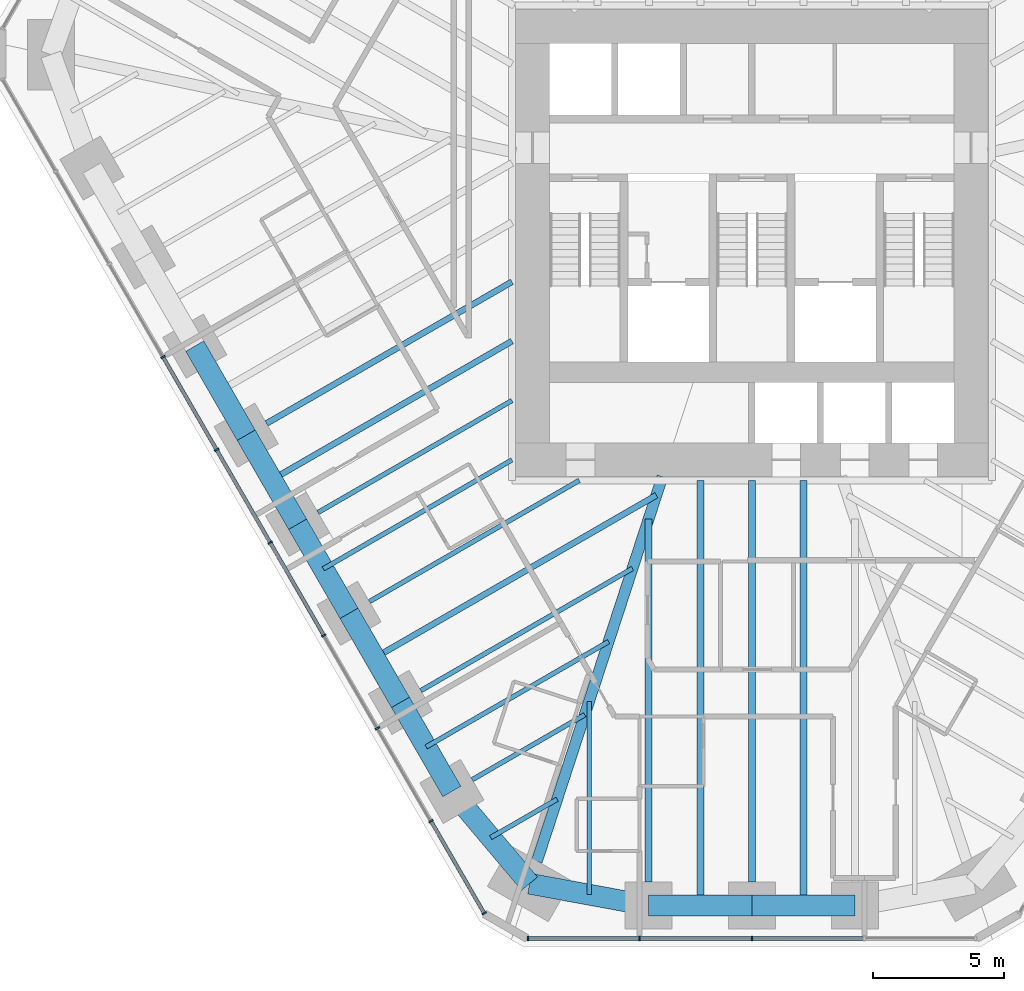
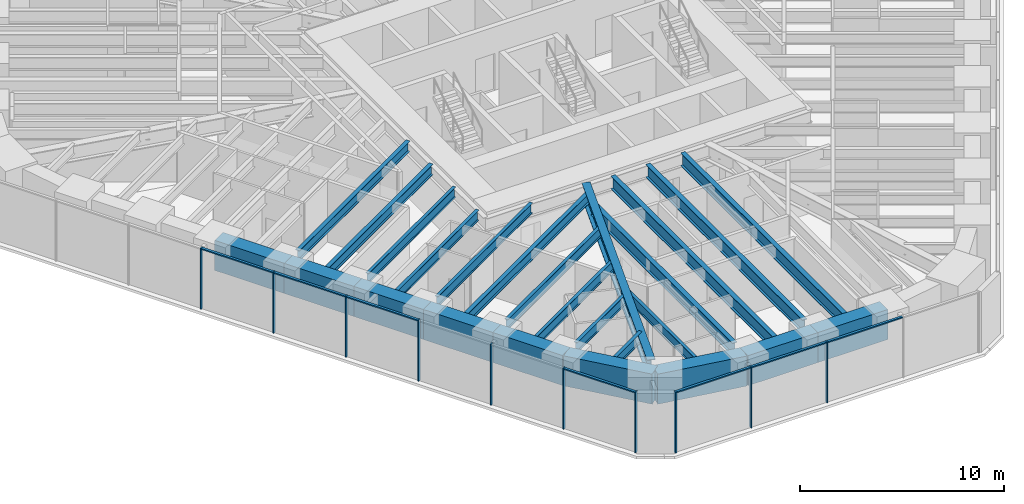
# One storey, part 2 of 17: 25 beams, 17 members, 2 elements without a shape of their own.
"""IFC4 building model written with IfcOpenShell, lengths in metres."""

import ifcopenshell
import ifcopenshell.guid

model = None  # the IFC model being written
_history = None  # IfcOwnerHistory: only IFC2X3 demands one
_inside = {}  # id of a spatial element -> (the spatial element, [elements in it])
_under = {}  # id of a project, library or spatial element -> (it, [spatial elements below it])
_declared = {}  # id of a project -> (the project, [libraries it declares])
_typed = {}  # id of a type object -> (the type object, [elements of that type])
_made_of = {}  # id of a material, layer set ... -> (it, [elements and type objects made of it])


def new_model(schema):
    """Start an empty IFC model of exactly this schema.

    Asked for "IFC4X3", IfcOpenShell would pick the latest addendum, in which some entities
    have other attributes; the version numbers below select the first issue.
    IFC2X3 requires an IfcOwnerHistory on every rooted entity: one is made here for all.
    """
    global model, _history
    if schema == "IFC4X3":
        model = ifcopenshell.file(schema_version=(4, 3, 0, 0))
    else:
        model = ifcopenshell.file(schema=schema)
    _inside.clear()
    _under.clear()
    _declared.clear()
    _typed.clear()
    _made_of.clear()
    _history = None
    if model.schema == "IFC2X3":
        org = make("IfcOrganization", Name="unknown")
        user = make(
            "IfcPersonAndOrganization",
            ThePerson=make("IfcPerson", FamilyName="unknown"),
            TheOrganization=org,
        )
        app = make(
            "IfcApplication",
            ApplicationDeveloper=org,
            Version="unknown",
            ApplicationFullName="unknown",
            ApplicationIdentifier="unknown",
        )
        _history = make(
            "IfcOwnerHistory",
            OwningUser=user,
            OwningApplication=app,
            ChangeAction="ADDED",
            CreationDate=0,
        )
    return model


def make(cls, **values):
    """One entity of the class cls with the attributes given. An attribute that is None is left unset."""
    return model.create_entity(
        cls, **{name: value for name, value in values.items() if value is not None}
    )


def rooted(cls, **values):
    """An entity with a GlobalId (a new one), such as an element, a storey or a relation."""
    return make(cls, GlobalId=ifcopenshell.guid.new(), OwnerHistory=_history, **values)


def si_unit(unit_type, name, prefix=None):
    """IfcSIUnit, for example si_unit("LENGTHUNIT", "METRE", prefix="MILLI")."""
    return make("IfcSIUnit", UnitType=unit_type, Prefix=prefix, Name=name)


def assignment(units):
    """IfcUnitAssignment: the units of a project."""
    return None if units is None else make("IfcUnitAssignment", Units=units)


def point(xyz):
    """IfcCartesianPoint."""
    return None if xyz is None else make("IfcCartesianPoint", Coordinates=xyz)


def direction(xyz):
    """IfcDirection."""
    return None if xyz is None else make("IfcDirection", DirectionRatios=xyz)


def frame(location, z_axis=None, x_axis=None):
    """IfcAxis2Placement3D, a coordinate frame: its origin and axes. An axis left out is left unset."""
    return make(
        "IfcAxis2Placement3D",
        Location=point(location),
        Axis=direction(z_axis),
        RefDirection=direction(x_axis),
    )


def frame_2d(location, x_axis=None):
    """IfcAxis2Placement2D, a coordinate frame in the plane: its origin and x axis."""
    return make(
        "IfcAxis2Placement2D", Location=point(location), RefDirection=direction(x_axis)
    )


def origin():
    """The frame at (0, 0, 0) with its axes left unset."""
    return frame((0.0, 0.0, 0.0))


def origin_2d():
    """The frame at (0, 0) in the plane with its x axis left unset."""
    return frame_2d((0.0, 0.0))


def place(relative_to, where):
    """IfcLocalPlacement: puts the frame where relative to a parent placement (None: the world)."""
    return make(
        "IfcLocalPlacement", PlacementRelTo=relative_to, RelativePlacement=where
    )


def context(
    kind, dimensions, precision=None, world=None, true_north=None, identifier=None
):
    """IfcGeometricRepresentationContext, for example the 3D "Model" context."""
    return make(
        "IfcGeometricRepresentationContext",
        ContextIdentifier=identifier,
        ContextType=kind,
        CoordinateSpaceDimension=dimensions,
        Precision=precision,
        WorldCoordinateSystem=world,
        TrueNorth=true_north,
    )


def subcontext(parent, identifier, kind, view, scale=None):
    """IfcGeometricRepresentationSubContext, for example "Body" below "Model"."""
    return make(
        "IfcGeometricRepresentationSubContext",
        ContextIdentifier=identifier,
        ContextType=kind,
        ParentContext=parent,
        TargetScale=scale,
        TargetView=view,
    )


def project(units=None, contexts=None):
    """IfcProject with its units and contexts."""
    return rooted(
        "IfcProject",
        Name="project",
        RepresentationContexts=contexts,
        UnitsInContext=assignment(units),
    )


def spatial(cls, under=None, at=None, **own):
    """A site, building, storey or space (cls), placed at a placement, below another one or the project."""
    s = rooted(cls, ObjectPlacement=at, **own)
    if under is not None:
        _under.setdefault(under.id(), (under, []))[1].append(s)
    return s


def profile(cls, at=None, kind="AREA", **sizes):
    """A parametric profile (cls). Its sizes go by their IFC names, for example OverallWidth=200.0."""
    return make(cls, ProfileType=kind, Position=at, **sizes)


def rectangle(**sizes):
    """IfcRectangleProfileDef."""
    return profile("IfcRectangleProfileDef", **sizes)


def i_section(**sizes):
    """IfcIShapeProfileDef."""
    return profile("IfcIShapeProfileDef", **sizes)


def extrude(swept, where, along, depth):
    """IfcExtrudedAreaSolid: the profile swept, set in the frame where, extruded along a direction by depth."""
    return make(
        "IfcExtrudedAreaSolid",
        SweptArea=swept,
        Position=where,
        ExtrudedDirection=direction(along),
        Depth=depth,
    )


def shape(context_of_items, identifier, shape_type, items):
    """IfcShapeRepresentation: the items that make up one representation, for example the "Body"."""
    return make(
        "IfcShapeRepresentation",
        ContextOfItems=context_of_items,
        RepresentationIdentifier=identifier,
        RepresentationType=shape_type,
        Items=items,
    )


def material(Name=None, Category=None):
    """IfcMaterial."""
    return make("IfcMaterial", Name=Name, Category=Category)


def material_profile(
    of_material, cross_section, Name=None, Category=None, Priority=None
):
    """IfcMaterialProfile: a cross section and its material."""
    return make(
        "IfcMaterialProfile",
        Name=Name,
        Material=of_material,
        Profile=cross_section,
        Priority=Priority,
        Category=Category,
    )


def profile_set(profiles, Name=None, composite=None):
    """IfcMaterialProfileSet."""
    return make(
        "IfcMaterialProfileSet",
        Name=Name,
        MaterialProfiles=profiles,
        CompositeProfile=composite,
    )


def made_of(thing, what):
    """Note that an element or type object is made of a material, layer set ...; save() writes the relation."""
    if what is not None:
        _made_of.setdefault(what.id(), (what, []))[1].append(thing)
    return thing


def type_object(cls, material=None, **own):
    """A type object (cls), such as IfcWallType, which elements share."""
    return made_of(rooted(cls, **own), material)


def element(
    cls,
    number,
    at=None,
    inside=None,
    cuts=None,
    type_object=None,
    material=None,
    context=None,
    identifier="Body",
    shape_type=None,
    held_by="IfcProductDefinitionShape",
    body=None,
    shapes=None,
    **own,
):
    """One element of the class cls, such as IfcWall. Its Tag is "e" and its number.

    at: its placement. inside: the storey or other place that contains it. cuts: it is an
    opening in that element (IfcRelVoidsElement). A single representation is given by context,
    identifier, shape_type and body (its items); several are given by shapes. held_by: the class
    of the entity that holds the representations. save() writes the other relations.
    """
    e = rooted(cls, Tag="e%d" % number, ObjectPlacement=at, **own)
    if body is not None:
        shapes = [shape(context, identifier, shape_type, body)]
    if shapes is not None:
        e.Representation = make(held_by, Representations=shapes)
    if inside is not None:
        _inside.setdefault(inside.id(), (inside, []))[1].append(e)
    if cuts is not None:
        rooted(
            "IfcRelVoidsElement", RelatingBuildingElement=cuts, RelatedOpeningElement=e
        )
    if type_object is not None:
        _typed.setdefault(type_object.id(), (type_object, []))[1].append(e)
    return made_of(e, material)


def aggregate(whole, parts):
    """IfcRelAggregates: a whole, such as a stair, and the parts it consists of."""
    return rooted("IfcRelAggregates", RelatingObject=whole, RelatedObjects=parts)


def save(model, path):
    """Write the relations noted so far, then the file.

    IfcRelAggregates (storeys below a building ...), IfcRelContainedInSpatialStructure (elements
    in a storey), IfcRelDefinesByType, IfcRelAssociatesMaterial and IfcRelDeclares: one each for
    every whole, place, type object, material and project.
    """
    for whole, parts in _under.values():
        aggregate(whole, parts)
    for where, things in _inside.values():
        rooted(
            "IfcRelContainedInSpatialStructure",
            RelatedElements=things,
            RelatingStructure=where,
        )
    for kind, things in _typed.values():
        rooted("IfcRelDefinesByType", RelatedObjects=things, RelatingType=kind)
    for what, things in _made_of.values():
        rooted("IfcRelAssociatesMaterial", RelatedObjects=things, RelatingMaterial=what)
    for by, libraries in _declared.values():
        rooted("IfcRelDeclares", RelatingContext=by, RelatedDefinitions=libraries)
    model.write(path)


model = new_model("IFC4")

# Units and contexts
model_context = context("Model", 3, precision=1e-05, world=origin(), true_north=direction((0.0, 1.0)))
body_context = subcontext(model_context, "Body", "Model", "MODEL_VIEW")
ifc_project = project(units=[si_unit("LENGTHUNIT", "METRE"), si_unit("AREAUNIT", "SQUARE_METRE"), si_unit("VOLUMEUNIT", "CUBIC_METRE"), si_unit("PLANEANGLEUNIT", "RADIAN"), si_unit("MASSUNIT", "GRAM", prefix="KILO")], contexts=[model_context])

# Site, building, storey
site_placement = place(None, origin())
site = spatial("IfcSite", under=ifc_project, at=site_placement, CompositionType="ELEMENT")
building_placement = place(site_placement, origin())
building = spatial("IfcBuilding", under=site, at=building_placement, Name="Sandreach Pilgrim Tower", CompositionType="ELEMENT")
storey_placement = place(building_placement, frame((0.0, 0.0, 119.60009765625)))
storey = spatial("IfcBuildingStorey", under=building, at=storey_placement, Name="L29", CompositionType="ELEMENT", Elevation=119.60009765625)

# Curtain wall, members
ifc_material_1 = material(Name="Aluminium framed curtain wall", Category="aluminium")
curtain_wall_type = type_object("IfcCurtainWallType", Name="Hotel tower curtain wall", PredefinedType="NOTDEFINED", material=ifc_material_1)
curtain_wall_1_placement = place(storey_placement, origin())
curtain_wall_1 = element("IfcCurtainWall", 1, at=curtain_wall_1_placement, inside=storey, type_object=curtain_wall_type, Name="CW-2 L29 S", PredefinedType="NOTDEFINED")
ifc_material_2 = material(Name="Aluminium extrusion", Category="aluminium")
ifc_material_profile_1 = material_profile(ifc_material_2, rectangle(XDim=0.06494140625, YDim=0.179931640625, at=origin_2d()), Name="CW-2M 65X180")
ifc_profile_set_1 = profile_set([ifc_material_profile_1], Name="Aluminium extrusion")
member_type_1 = type_object("IfcMemberType", Name="CW-2 mullion", PredefinedType="MULLION", material=ifc_profile_set_1)
member_1_placement = place(storey_placement, frame((0.0, -28.192138671875, 0.0), z_axis=(0.0, 0.0, 1.0), x_axis=(-1.0, 0.0, 0.0)))
member_1 = element("IfcMember", 2, at=member_1_placement, type_object=member_type_1, Name="CW-2 mullion 3", PredefinedType="MULLION", context=body_context, shape_type="SweptSolid", body=[
    extrude(rectangle(XDim=0.06494140625, YDim=0.179931640625, at=origin_2d()), origin(), (0.0, 0.0, 1.0), 3.639892578125),
])
member_2_placement = place(storey_placement, frame((-4.3056640625, -28.192138671875, 0.0), z_axis=(0.0, 0.0, 1.0), x_axis=(-1.0, 0.0, 0.0)))
member_2 = element("IfcMember", 3, at=member_2_placement, type_object=member_type_1, Name="CW-2 mullion 4", PredefinedType="MULLION", context=body_context, shape_type="SweptSolid", body=[
    extrude(rectangle(XDim=0.06494140625, YDim=0.179931640625, at=origin_2d()), origin(), (0.0, 0.0, 1.0), 3.639892578125),
])
member_3_placement = place(storey_placement, frame((-8.578857421875, -28.192138671875, 0.0), z_axis=(0.0, 0.0, 1.0), x_axis=(-1.0, 0.0, 0.0)))
member_3 = element("IfcMember", 4, at=member_3_placement, type_object=member_type_1, Name="CW-2 mullion 5", PredefinedType="MULLION", context=body_context, shape_type="SweptSolid", body=[
    extrude(rectangle(XDim=0.06494140625, YDim=0.179931640625, at=origin_2d()), origin(), (0.0, 0.0, 1.0), 3.639892578125),
])

curtain_wall_2_placement = place(storey_placement, origin())
curtain_wall_2 = element("IfcCurtainWall", 5, at=curtain_wall_2_placement, inside=storey, type_object=curtain_wall_type, Name="CW-2 L29 SW", PredefinedType="NOTDEFINED")
member_4_placement = place(storey_placement, frame((-10.255859375, -27.22412109375, 0.0), z_axis=(0.0, 0.0, 1.0), x_axis=(-0.5, 0.866025403784, 0.0)))
member_4 = element("IfcMember", 6, at=member_4_placement, type_object=member_type_1, Name="CW-2 mullion 1", PredefinedType="MULLION", context=body_context, shape_type="SweptSolid", body=[
    extrude(rectangle(XDim=0.06494140625, YDim=0.179931640625, at=origin_2d()), origin(), (0.0, 0.0, 1.0), 3.639892578125),
])
member_5_placement = place(storey_placement, frame((-12.29296875, -23.695556640625, 0.0), z_axis=(0.0, 0.0, 1.0), x_axis=(-0.5, 0.866025403784, 0.0)))
member_5 = element("IfcMember", 7, at=member_5_placement, type_object=member_type_1, Name="CW-2 mullion 2", PredefinedType="MULLION", context=body_context, shape_type="SweptSolid", body=[
    extrude(rectangle(XDim=0.06494140625, YDim=0.179931640625, at=origin_2d()), origin(), (0.0, 0.0, 1.0), 3.639892578125),
])
member_6_placement = place(storey_placement, frame((-14.346435546875, -20.138671875, 0.0), z_axis=(0.0, 0.0, 1.0), x_axis=(-0.5, 0.866025403784, 0.0)))
member_6 = element("IfcMember", 8, at=member_6_placement, type_object=member_type_1, Name="CW-2 mullion 3", PredefinedType="MULLION", context=body_context, shape_type="SweptSolid", body=[
    extrude(rectangle(XDim=0.06494140625, YDim=0.179931640625, at=origin_2d()), origin(), (0.0, 0.0, 1.0), 3.639892578125),
])
member_7_placement = place(storey_placement, frame((-16.39990234375, -16.58203125, 0.0), z_axis=(0.0, 0.0, 1.0), x_axis=(-0.5, 0.866025403784, 0.0)))
member_7 = element("IfcMember", 9, at=member_7_placement, type_object=member_type_1, Name="CW-2 mullion 4", PredefinedType="MULLION", context=body_context, shape_type="SweptSolid", body=[
    extrude(rectangle(XDim=0.06494140625, YDim=0.179931640625, at=origin_2d()), origin(), (0.0, 0.0, 1.0), 3.639892578125),
])
member_8_placement = place(storey_placement, frame((-18.453369140625, -13.025146484375, 0.0), z_axis=(0.0, 0.0, 1.0), x_axis=(-0.5, 0.866025403784, 0.0)))
member_8 = element("IfcMember", 10, at=member_8_placement, type_object=member_type_1, Name="CW-2 mullion 5", PredefinedType="MULLION", context=body_context, shape_type="SweptSolid", body=[
    extrude(rectangle(XDim=0.06494140625, YDim=0.179931640625, at=origin_2d()), origin(), (0.0, 0.0, 1.0), 3.639892578125),
])
member_9_placement = place(storey_placement, frame((-20.5068359375, -9.468505859375, 0.0), z_axis=(0.0, 0.0, 1.0), x_axis=(-0.5, 0.866025403784, 0.0)))
member_9 = element("IfcMember", 11, at=member_9_placement, type_object=member_type_1, Name="CW-2 mullion 6", PredefinedType="MULLION", context=body_context, shape_type="SweptSolid", body=[
    extrude(rectangle(XDim=0.06494140625, YDim=0.179931640625, at=origin_2d()), origin(), (0.0, 0.0, 1.0), 3.639892578125),
])
member_10_placement = place(storey_placement, frame((-22.560302734375, -5.911865234375, 0.0), z_axis=(0.0, 0.0, 1.0), x_axis=(-0.5, 0.866025403784, 0.0)))
member_10 = element("IfcMember", 12, at=member_10_placement, type_object=member_type_1, Name="CW-2 mullion 7", PredefinedType="MULLION", context=body_context, shape_type="SweptSolid", body=[
    extrude(rectangle(XDim=0.06494140625, YDim=0.179931640625, at=origin_2d()), origin(), (0.0, 0.0, 1.0), 3.639892578125),
])

# Member
ifc_material_3 = material(Name="Aluminium extrusion", Category="aluminium")
ifc_material_profile_2 = material_profile(ifc_material_3, rectangle(XDim=0.139892578125, YDim=0.070068359375, at=origin_2d()), Name="CW-2T 140X70")
ifc_profile_set_2 = profile_set([ifc_material_profile_2], Name="Aluminium extrusion")
member_type_2 = type_object("IfcMemberType", Name="CW-2 transom", PredefinedType="USERDEFINED", material=ifc_profile_set_2)
member_11_placement = place(storey_placement, frame((4.273193359375, -28.192138671875, 3.60498046875), z_axis=(-1.0, 0.0, 0.0), x_axis=(0.0, -1.0, 0.0)))
member_11 = element("IfcMember", 13, at=member_11_placement, type_object=member_type_2, Name="CW-2 head transom 2", ObjectType="TRANSOM", PredefinedType="USERDEFINED", context=body_context, shape_type="SweptSolid", body=[
    extrude(rectangle(XDim=0.139892578125, YDim=0.070068359375, at=origin_2d()), origin(), (0.0, 0.0, 1.0), 4.24072265625),
])

member_12_placement = place(storey_placement, frame((-0.032470703125, -28.192138671875, 3.60498046875), z_axis=(-1.0, 0.0, 0.0), x_axis=(0.0, -1.0, 0.0)))
member_12 = element("IfcMember", 14, at=member_12_placement, type_object=member_type_2, Name="CW-2 head transom 3", ObjectType="TRANSOM", PredefinedType="USERDEFINED", context=body_context, shape_type="SweptSolid", body=[
    extrude(rectangle(XDim=0.139892578125, YDim=0.070068359375, at=origin_2d()), origin(), (0.0, 0.0, 1.0), 4.24072265625),
])

member_13_placement = place(storey_placement, frame((-4.338134765625, -28.192138671875, 3.60498046875), z_axis=(-1.0, 0.0, 0.0), x_axis=(0.0, -1.0, 0.0)))
member_13 = element("IfcMember", 15, at=member_13_placement, type_object=member_type_2, Name="CW-2 head transom 4", ObjectType="TRANSOM", PredefinedType="USERDEFINED", context=body_context, shape_type="SweptSolid", body=[
    extrude(rectangle(XDim=0.139892578125, YDim=0.070068359375, at=origin_2d()), origin(), (0.0, 0.0, 1.0), 4.208251953125),
])

aggregate(curtain_wall_1, [member_1, member_2, member_3, member_11, member_12, member_13])

member_14_placement = place(storey_placement, frame((-10.27197265625, -27.196044921875, 3.60498046875), z_axis=(-0.500015851672, 0.866016251624, 0.0), x_axis=(-0.866016251624, -0.500015851672, 0.0)))
member_14 = element("IfcMember", 16, at=member_14_placement, type_object=member_type_2, Name="CW-2 head transom 1", ObjectType="TRANSOM", PredefinedType="USERDEFINED", context=body_context, shape_type="SweptSolid", body=[
    extrude(rectangle(XDim=0.139892578125, YDim=0.070068359375, at=origin_2d()), origin(), (0.0, 0.0, 1.0), 4.009521484375),
])

member_15_placement = place(storey_placement, frame((-16.416259765625, -16.553955078125, 3.60498046875), z_axis=(-0.499997818338, 0.866026663364, 0.0), x_axis=(-0.866026663364, -0.499997818338, 0.0)))
member_15 = element("IfcMember", 17, at=member_15_placement, type_object=member_type_2, Name="CW-2 head transom 4", ObjectType="TRANSOM", PredefinedType="USERDEFINED", context=body_context, shape_type="SweptSolid", body=[
    extrude(rectangle(XDim=0.139892578125, YDim=0.070068359375, at=origin_2d()), origin(), (0.0, 0.0, 1.0), 4.0419921875),
])

member_16_placement = place(storey_placement, frame((-18.4697265625, -12.9970703125, 3.60498046875), z_axis=(-0.499997818338, 0.866026663364, 0.0), x_axis=(-0.866026663364, -0.499997818338, 0.0)))
member_16 = element("IfcMember", 18, at=member_16_placement, type_object=member_type_2, Name="CW-2 head transom 5", ObjectType="TRANSOM", PredefinedType="USERDEFINED", context=body_context, shape_type="SweptSolid", body=[
    extrude(rectangle(XDim=0.139892578125, YDim=0.070068359375, at=origin_2d()), origin(), (0.0, 0.0, 1.0), 4.0419921875),
])

member_17_placement = place(storey_placement, frame((-20.523193359375, -9.4404296875, 3.60498046875), z_axis=(-0.499997818338, 0.866026663364, 0.0), x_axis=(-0.866026663364, -0.499997818338, 0.0)))
member_17 = element("IfcMember", 19, at=member_17_placement, type_object=member_type_2, Name="CW-2 head transom 6", ObjectType="TRANSOM", PredefinedType="USERDEFINED", context=body_context, shape_type="SweptSolid", body=[
    extrude(rectangle(XDim=0.139892578125, YDim=0.070068359375, at=origin_2d()), origin(), (0.0, 0.0, 1.0), 4.0419921875),
])

aggregate(curtain_wall_2, [member_4, member_5, member_6, member_7, member_8, member_9, member_10, member_14, member_15, member_16, member_17])

# Beams
ifc_material_4 = material(Name="Steel ASTM A992 Grade 50", Category="steel")
ifc_material_profile_3 = material_profile(ifc_material_4, i_section(OverallWidth=0.421630859375, OverallDepth=0.937255859375, WebThickness=0.0224609375, FlangeThickness=0.039794921875, at=origin_2d()), Name="W36X282")
ifc_profile_set_3 = profile_set([ifc_material_profile_3], Name="Steel ASTM A992 Grade 50")
beam_type_1 = type_object("IfcBeamType", Name="Corner girder W36X282", PredefinedType="BEAM", material=ifc_profile_set_3)
beam_1_placement = place(storey_placement, frame((-8.238525390625, -25.23876953125, 3.17138671875), z_axis=(0.310307109519, 0.950636364643, 0.0), x_axis=(-0.950636364643, 0.310307109519, 0.0)))
element("IfcBeam", 20, at=beam_1_placement, inside=storey, type_object=beam_type_1, Name="BM L29 CG26", PredefinedType="BEAM", context=body_context, shape_type="SweptSolid", body=[
    extrude(i_section(OverallWidth=0.421630859375, OverallDepth=0.937255859375, WebThickness=0.0224609375, FlangeThickness=0.039794921875, at=origin_2d()), origin(), (0.0, 0.0, 1.0), 15.504150390625),
])
ifc_material_5 = material(Name="Steel ASTM A992 Grade 50", Category="steel")
ifc_material_profile_4 = material_profile(ifc_material_5, i_section(OverallWidth=0.1787109375, OverallDepth=0.60205078125, WebThickness=0.010986328125, FlangeThickness=0.014892578125, at=origin_2d()), Name="W24X62")
ifc_profile_set_4 = profile_set([ifc_material_profile_4], Name="Steel ASTM A992 Grade 50")
beam_type_2 = type_object("IfcBeamType", Name="Floor beam W24X62", PredefinedType="BEAM", material=ifc_profile_set_4)
beam_2_placement = place(storey_placement, frame((-10.714599609375, -22.109130859375, 3.3388671875), z_axis=(0.866024645457, 0.500001313459, 0.0), x_axis=(-0.500001313459, 0.866024645457, 0.0)))
element("IfcBeam", 21, at=beam_2_placement, inside=storey, type_object=beam_type_2, Name="BM L29 F27", PredefinedType="BEAM", context=body_context, shape_type="SweptSolid", body=[
    extrude(i_section(OverallWidth=0.1787109375, OverallDepth=0.60205078125, WebThickness=0.010986328125, FlangeThickness=0.014892578125, at=origin_2d()), origin(), (0.0, 0.0, 1.0), 4.9765625),
])
beam_3_placement = place(storey_placement, frame((-12.6845703125, -18.697265625, 3.3388671875), z_axis=(0.866012351917, 0.500022605817, 0.0), x_axis=(-0.500022605817, 0.866012351917, 0.0)))
element("IfcBeam", 22, at=beam_3_placement, inside=storey, type_object=beam_type_2, Name="BM L29 F28", PredefinedType="BEAM", context=body_context, shape_type="SweptSolid", body=[
    extrude(i_section(OverallWidth=0.1787109375, OverallDepth=0.60205078125, WebThickness=0.010986328125, FlangeThickness=0.014892578125, at=origin_2d()), origin(), (0.0, 0.0, 1.0), 9.3642578125),
])
beam_4_placement = place(storey_placement, frame((-14.654541015625, -15.28515625, 3.3388671875), z_axis=(0.866015659929, 0.500016876472, 0.0), x_axis=(-0.500016876472, 0.866015659929, 0.0)))
element("IfcBeam", 23, at=beam_4_placement, inside=storey, type_object=beam_type_2, Name="BM L29 F29", PredefinedType="BEAM", context=body_context, shape_type="SweptSolid", body=[
    extrude(i_section(OverallWidth=0.1787109375, OverallDepth=0.60205078125, WebThickness=0.010986328125, FlangeThickness=0.014892578125, at=origin_2d()), origin(), (0.0, 0.0, 1.0), 9.283447265625),
])
beam_5_placement = place(storey_placement, frame((-16.62451171875, -11.873046875, 3.3388671875), z_axis=(0.866017857595, 0.500013070155, 0.0), x_axis=(-0.500013070155, 0.866017857595, 0.0)))
element("IfcBeam", 24, at=beam_5_placement, inside=storey, type_object=beam_type_2, Name="BM L29 F30", PredefinedType="BEAM", context=body_context, shape_type="SweptSolid", body=[
    extrude(i_section(OverallWidth=0.1787109375, OverallDepth=0.60205078125, WebThickness=0.010986328125, FlangeThickness=0.014892578125, at=origin_2d()), origin(), (0.0, 0.0, 1.0), 8.580810546875),
])
beam_6_placement = place(storey_placement, frame((-6.236572265625, -26.51318359375, 3.3388671875), z_axis=(0.0, 1.0, 0.0), x_axis=(-1.0, 0.0, 0.0)))
element("IfcBeam", 25, at=beam_6_placement, inside=storey, type_object=beam_type_2, Name="BM L29 FM25", PredefinedType="BEAM", context=body_context, shape_type="SweptSolid", body=[
    extrude(i_section(OverallWidth=0.1787109375, OverallDepth=0.60205078125, WebThickness=0.010986328125, FlangeThickness=0.014892578125, at=origin_2d()), origin(), (0.0, 0.0, 1.0), 7.40771484375),
])
beam_7_placement = place(storey_placement, frame((-10.006103515625, -24.326904296875, 3.3388671875), z_axis=(0.866015396618, 0.500017332519, 0.0), x_axis=(-0.500017332519, 0.866015396618, 0.0)))
element("IfcBeam", 26, at=beam_7_placement, inside=storey, type_object=beam_type_2, Name="BM L29 FM26", PredefinedType="BEAM", context=body_context, shape_type="SweptSolid", body=[
    extrude(i_section(OverallWidth=0.1787109375, OverallDepth=0.60205078125, WebThickness=0.010986328125, FlangeThickness=0.014892578125, at=origin_2d()), origin(), (0.0, 0.0, 1.0), 2.9384765625),
])
beam_8_placement = place(storey_placement, frame((-12.47900390625, -20.853271484375, 3.3388671875), z_axis=(0.866017328257, 0.500013986963, 0.0), x_axis=(-0.500013986963, 0.866017328257, 0.0)))
element("IfcBeam", 27, at=beam_8_placement, inside=storey, type_object=beam_type_2, Name="BM L29 FM27", PredefinedType="BEAM", context=body_context, shape_type="SweptSolid", body=[
    extrude(i_section(OverallWidth=0.1787109375, OverallDepth=0.60205078125, WebThickness=0.010986328125, FlangeThickness=0.014892578125, at=origin_2d()), origin(), (0.0, 0.0, 1.0), 8.070556640625),
])
beam_9_placement = place(storey_placement, frame((-16.4189453125, -14.029052734375, 3.3388671875), z_axis=(0.866016009309, 0.500016271356, 0.0), x_axis=(-0.500016271356, 0.866016009309, 0.0)))
element("IfcBeam", 28, at=beam_9_placement, inside=storey, type_object=beam_type_2, Name="BM L29 FM29", PredefinedType="BEAM", context=body_context, shape_type="SweptSolid", body=[
    extrude(i_section(OverallWidth=0.1787109375, OverallDepth=0.60205078125, WebThickness=0.010986328125, FlangeThickness=0.014892578125, at=origin_2d()), origin(), (0.0, 0.0, 1.0), 8.343505859375),
])
ifc_material_6 = material(Name="Steel ASTM A992 Grade 50", Category="steel")
ifc_material_profile_5 = material_profile(ifc_material_6, i_section(OverallWidth=0.23046875, OverallDepth=0.6171875, WebThickness=0.01318359375, FlangeThickness=0.022216796875, at=origin_2d()), Name="W24X94")
ifc_profile_set_5 = profile_set([ifc_material_profile_5], Name="Steel ASTM A992 Grade 50")
beam_type_3 = type_object("IfcBeamType", Name="Floor beam W24X94", PredefinedType="BEAM", material=ifc_profile_set_5)
beam_10_placement = place(storey_placement, frame((-18.594482421875, -8.4609375, 3.331298828125), z_axis=(0.866015926388, 0.500016414973, 0.0), x_axis=(-0.500016414973, 0.866015926388, 0.0)))
element("IfcBeam", 29, at=beam_10_placement, inside=storey, type_object=beam_type_3, Name="BM L29 F31", PredefinedType="BEAM", context=body_context, shape_type="SweptSolid", body=[
    extrude(i_section(OverallWidth=0.23046875, OverallDepth=0.6171875, WebThickness=0.01318359375, FlangeThickness=0.022216796875, at=origin_2d()), origin(), (0.0, 0.0, 1.0), 10.855712890625),
])
beam_11_placement = place(storey_placement, frame((-14.448974609375, -17.441162109375, 3.331298828125), z_axis=(0.866019150617, 0.500010830648, 0.0), x_axis=(-0.500010830648, 0.866019150617, 0.0)))
element("IfcBeam", 30, at=beam_11_placement, inside=storey, type_object=beam_type_3, Name="BM L29 FM28", PredefinedType="BEAM", context=body_context, shape_type="SweptSolid", body=[
    extrude(i_section(OverallWidth=0.23046875, OverallDepth=0.6171875, WebThickness=0.01318359375, FlangeThickness=0.022216796875, at=origin_2d()), origin(), (0.0, 0.0, 1.0), 12.458251953125),
])
beam_12_placement = place(storey_placement, frame((-18.388916015625, -10.616943359375, 3.331298828125), z_axis=(0.866024387147, 0.500001760863, 0.0), x_axis=(-0.500001760863, 0.866024387147, 0.0)))
element("IfcBeam", 31, at=beam_12_placement, inside=storey, type_object=beam_type_3, Name="BM L29 FM30", PredefinedType="BEAM", context=body_context, shape_type="SweptSolid", body=[
    extrude(i_section(OverallWidth=0.23046875, OverallDepth=0.6171875, WebThickness=0.01318359375, FlangeThickness=0.022216796875, at=origin_2d()), origin(), (0.0, 0.0, 1.0), 10.6181640625),
])
ifc_material_7 = material(Name="Steel ASTM A992 Grade 50", Category="steel")
ifc_material_profile_6 = material_profile(ifc_material_7, i_section(OverallWidth=0.2666015625, OverallDepth=0.761962890625, WebThickness=0.014404296875, FlangeThickness=0.021484375, at=origin_2d()), Name="W30X116")
ifc_profile_set_6 = profile_set([ifc_material_profile_6], Name="Steel ASTM A992 Grade 50")
beam_type_4 = type_object("IfcBeamType", Name="Floor beam W30X116", PredefinedType="BEAM", material=ifc_profile_set_6)
beam_13_placement = place(storey_placement, frame((-3.955322265625, -26.0322265625, 3.2587890625), z_axis=(0.0, 1.0, 0.0), x_axis=(-1.0, 0.0, 0.0)))
element("IfcBeam", 32, at=beam_13_placement, inside=storey, type_object=beam_type_4, Name="BM L29 F25", PredefinedType="BEAM", context=body_context, shape_type="SweptSolid", body=[
    extrude(i_section(OverallWidth=0.2666015625, OverallDepth=0.761962890625, WebThickness=0.014404296875, FlangeThickness=0.021484375, at=origin_2d()), origin(), (0.0, 0.0, 1.0), 13.91552734375),
])
ifc_material_8 = material(Name="Steel ASTM A992 Grade 50", Category="steel")
ifc_material_profile_7 = material_profile(ifc_material_8, i_section(OverallWidth=0.2666015625, OverallDepth=0.77978515625, WebThickness=0.0166015625, FlangeThickness=0.030029296875, at=origin_2d()), Name="W30X148")
ifc_profile_set_7 = profile_set([ifc_material_profile_7], Name="Steel ASTM A992 Grade 50")
beam_type_5 = type_object("IfcBeamType", Name="Floor beam W30X148", PredefinedType="BEAM", material=ifc_profile_set_7)
beam_14_placement = place(storey_placement, frame((0.0, -26.0322265625, 3.25), z_axis=(0.0, 1.0, 0.0), x_axis=(-1.0, 0.0, 0.0)))
element("IfcBeam", 33, at=beam_14_placement, inside=storey, type_object=beam_type_5, Name="BM L29 F24", PredefinedType="BEAM", context=body_context, shape_type="SweptSolid", body=[
    extrude(i_section(OverallWidth=0.2666015625, OverallDepth=0.77978515625, WebThickness=0.0166015625, FlangeThickness=0.030029296875, at=origin_2d()), origin(), (0.0, 0.0, 1.0), 15.388916015625),
])
for number, where, z_axis, x_axis, name in (
    (34, (1.9775390625, -26.93212890625, 3.25), (0.0, 1.0, 0.0), (-1.0, 0.0, 0.0), "BM L29 FM23"),
    (35, (-1.9775390625, -26.93212890625, 3.25), (0.0, 1.0, 0.0), (-1.0, 0.0, 0.0), "BM L29 FM24"),
):
    element("IfcBeam", number, at=place(storey_placement, frame(where, z_axis=z_axis, x_axis=x_axis)), inside=storey, type_object=beam_type_5, Name=name, PredefinedType="BEAM", context=body_context, shape_type="SweptSolid", body=[
        extrude(i_section(OverallWidth=0.2666015625, OverallDepth=0.77978515625, WebThickness=0.0166015625, FlangeThickness=0.030029296875, at=origin_2d()), origin(), (0.0, 0.0, 1.0), 16.288818359375),
    ])
ifc_material_9 = material(Name="Concrete 10000 psi", Category="concrete")
ifc_material_profile_8 = material_profile(ifc_material_9, rectangle(XDim=0.800048828125, YDim=1.800048828125, at=origin_2d()), Name="RC800X1800")
ifc_profile_set_8 = profile_set([ifc_material_profile_8], Name="Concrete 10000 psi")
beam_type_6 = type_object("IfcBeamType", Name="Spandrel beam RC800X1800", PredefinedType="SPANDREL", material=ifc_profile_set_8)
for number, where, z_axis, x_axis, name in (
    (36, (3.955322265625, -26.93212890625, 2.739990234375), (-1.0, 0.0, 0.0), (0.0, -1.0, 0.0), "BM L29 SP23"),
    (37, (0.0, -26.93212890625, 2.739990234375), (-1.0, 0.0, 0.0), (0.0, -1.0, 0.0), "BM L29 SP24"),
):
    element("IfcBeam", number, at=place(storey_placement, frame(where, z_axis=z_axis, x_axis=x_axis)), inside=storey, type_object=beam_type_6, Name=name, PredefinedType="SPANDREL", context=body_context, shape_type="SweptSolid", body=[
        extrude(rectangle(XDim=0.800048828125, YDim=1.800048828125, at=origin_2d()), origin(), (0.0, 0.0, 1.0), 3.955322265625),
    ])
beam_15_placement = place(storey_placement, frame((-3.955322265625, -26.93212890625, 2.739990234375), z_axis=(-0.983551746136, 0.180626583516, 0.0), x_axis=(-0.180626583516, -0.983551746136, 0.0)))
element("IfcBeam", 38, at=beam_15_placement, inside=storey, type_object=beam_type_6, Name="BM L29 SP25", PredefinedType="SPANDREL", context=body_context, shape_type="SweptSolid", body=[
    extrude(rectangle(XDim=0.800048828125, YDim=1.800048828125, at=origin_2d()), origin(), (0.0, 0.0, 1.0), 4.638916015625),
])
beam_16_placement = place(storey_placement, frame((-8.517822265625, -26.09423828125, 2.739990234375), z_axis=(-0.644078801547, 0.764959147535, 0.0), x_axis=(-0.764959147535, -0.644078801547, 0.0)))
element("IfcBeam", 39, at=beam_16_placement, inside=storey, type_object=beam_type_6, Name="BM L29 SP26", PredefinedType="SPANDREL", context=body_context, shape_type="SweptSolid", body=[
    extrude(rectangle(XDim=0.800048828125, YDim=1.800048828125, at=origin_2d()), origin(), (0.0, 0.0, 1.0), 4.62109375),
])
for number, where, z_axis, x_axis, name in (
    (40, (-11.494140625, -22.559326171875, 2.739990234375), (-0.49999779889, 0.866026674592, 0.0), (-0.866026674592, -0.49999779889, 0.0), "BM L29 SP27"),
    (41, (-13.464111328125, -19.147216796875, 2.739990234375), (-0.49999779889, 0.866026674592, 0.0), (-0.866026674592, -0.49999779889, 0.0), "BM L29 SP28"),
    (42, (-15.43408203125, -15.735107421875, 2.739990234375), (-0.49999779889, 0.866026674592, 0.0), (-0.866026674592, -0.49999779889, 0.0), "BM L29 SP29"),
    (43, (-17.404052734375, -12.322998046875, 2.739990234375), (-0.49999779889, 0.866026674592, 0.0), (-0.866026674592, -0.49999779889, 0.0), "BM L29 SP30"),
    (44, (-19.3740234375, -8.910888671875, 2.739990234375), (-0.49999779889, 0.866026674592, 0.0), (-0.866026674592, -0.49999779889, 0.0), "BM L29 SP31"),
):
    element("IfcBeam", number, at=place(storey_placement, frame(where, z_axis=z_axis, x_axis=x_axis)), inside=storey, type_object=beam_type_6, Name=name, PredefinedType="SPANDREL", context=body_context, shape_type="SweptSolid", body=[
        extrude(rectangle(XDim=0.800048828125, YDim=1.800048828125, at=origin_2d()), origin(), (0.0, 0.0, 1.0), 3.93994140625),
    ])

save(model, "model.ifc")
